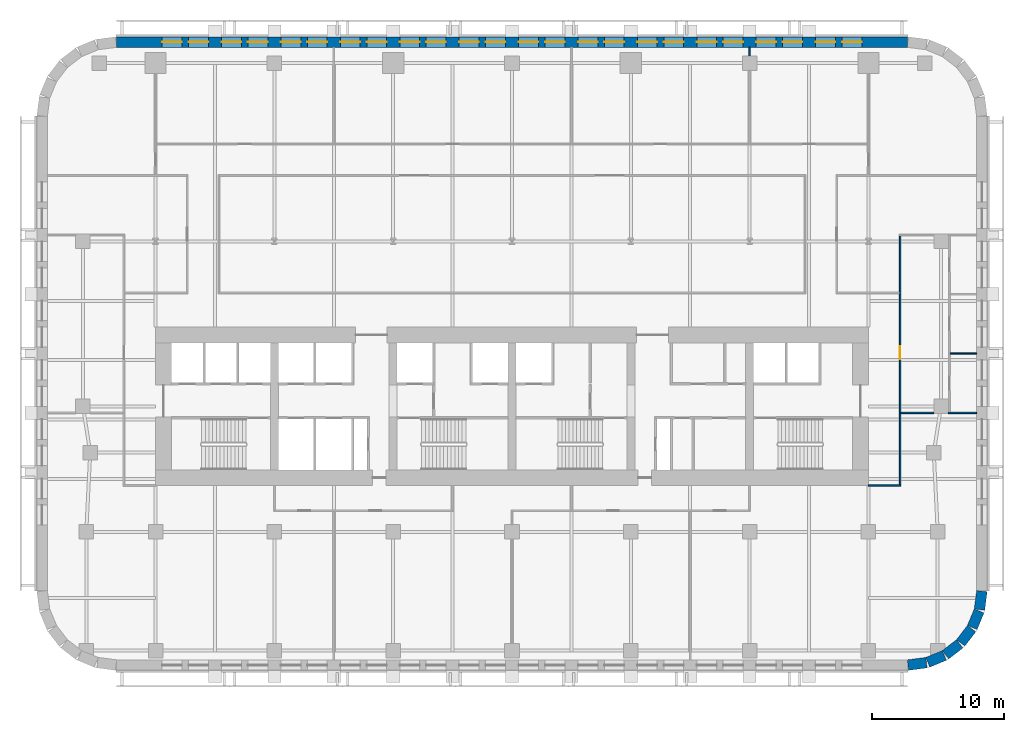
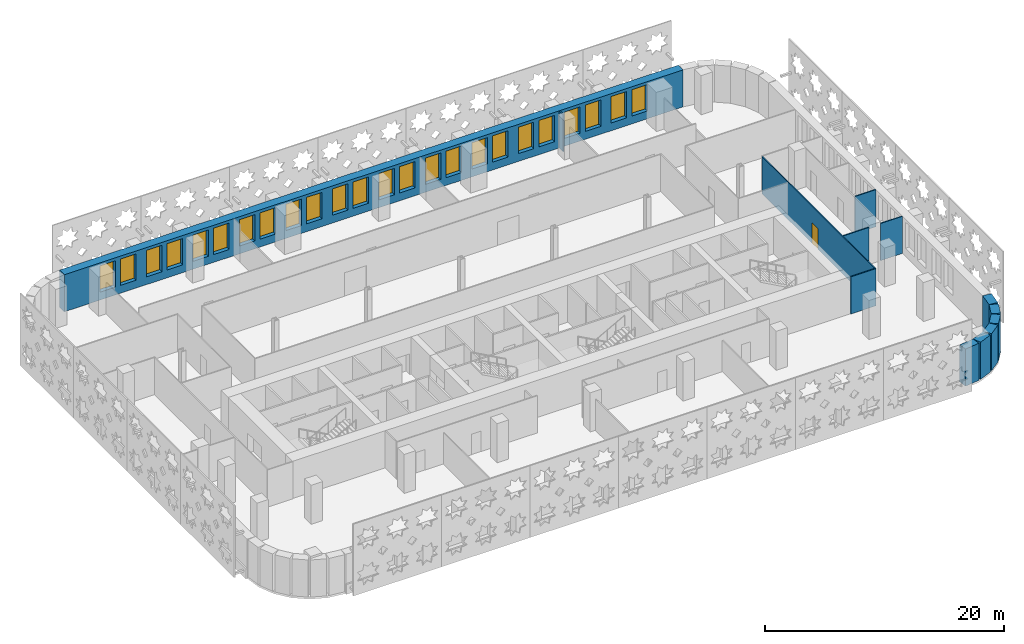
# One storey, part 8 of 15: 24 windows, 13 walls, 1 door, 25 openings.
"""IFC4 building model written with IfcOpenShell, lengths in metres."""

from ifc_helpers import new_model, si_unit, direction, frame, frame_2d, origin, place, context, subcontext, project, spatial, rectangle, extrude, material, layer, layer_set, type_object, element, fill, save


model = new_model("IFC4")

# Units and contexts
model_context = context("Model", 3, precision=1e-05, world=origin(), true_north=direction((0.0, 1.0)))
body_context = subcontext(model_context, "Body", "Model", "MODEL_VIEW")
ifc_project = project(units=[si_unit("LENGTHUNIT", "METRE"), si_unit("AREAUNIT", "SQUARE_METRE"), si_unit("VOLUMEUNIT", "CUBIC_METRE"), si_unit("PLANEANGLEUNIT", "RADIAN"), si_unit("MASSUNIT", "GRAM", prefix="KILO")], contexts=[model_context])

# Site, building, storey
site_placement = place(None, origin())
site = spatial("IfcSite", under=ifc_project, at=site_placement, CompositionType="ELEMENT")
building_placement = place(site_placement, origin())
building = spatial("IfcBuilding", under=site, at=building_placement, Name="Zellij Exchange Tower", CompositionType="ELEMENT")
storey_placement = place(building_placement, frame((0.0, 0.0, 92.5)))
storey = spatial("IfcBuildingStorey", under=building, at=storey_placement, Name="L19", CompositionType="ELEMENT", Elevation=92.5)

# Walls
ifc_material_1 = material(Name="Precast concrete C40/50", Category="concrete")
ifc_layer_1 = layer(ifc_material_1, 0.800048828125)
ifc_layer_set_1 = layer_set([ifc_layer_1], Name="Precast concrete C40/50")
wall_type_1 = type_object("IfcWallType", Name="ENV-EW1 Precast stone-piered wall 800", PredefinedType="SOLIDWALL", material=ifc_layer_set_1)
wall_1_placement = place(storey_placement, frame((29.999755859375, -27.5966796875, 0.0), z_axis=(0.0, 0.0, 1.0), x_axis=(0.99144603414, 0.130517283865, 0.0)))
element("IfcWall", 1, at=wall_1_placement, inside=storey, type_object=wall_type_1, Name="fac.L19.01", PredefinedType="SOLIDWALL", context=body_context, shape_type="SweptSolid", body=[
    extrude(rectangle(XDim=1.408447265625, YDim=0.800048828125, at=frame_2d((0.7041015625, 0.0))), origin(), (0.0, 0.0, 1.0), 3.800048828125),
])
wall_2_placement = place(storey_placement, frame((31.497314453125, -27.3857421875, 0.0), z_axis=(0.0, 0.0, 1.0), x_axis=(0.923847774587, 0.38276009378, 0.0)))
element("IfcWall", 2, at=wall_2_placement, inside=storey, type_object=wall_type_1, Name="fac.L19.02", PredefinedType="SOLIDWALL", context=body_context, shape_type="SweptSolid", body=[
    extrude(rectangle(XDim=1.35546875, YDim=0.800048828125, at=frame_2d((0.677734375, 0.0))), origin(), (0.0, 0.0, 1.0), 3.800048828125),
])
for number, where, z_axis, x_axis, name in (
    (3, (32.840087890625, -26.814697265625, 0.0), (0.0, 0.0, 1.0), (0.793272915452, 0.608866226366, 0.0), "fac.L19.03"),
    (4, (33.9892578125, -25.91552734375, 0.0), (0.0, 0.0, 1.0), (0.608866226366, 0.793272915452, 0.0), "fac.L19.04"),
):
    element("IfcWall", number, at=place(storey_placement, frame(where, z_axis=z_axis, x_axis=x_axis)), inside=storey, type_object=wall_type_1, Name=name, PredefinedType="SOLIDWALL", context=body_context, shape_type="SweptSolid", body=[
        extrude(rectangle(XDim=1.355712890625, YDim=0.800048828125, at=frame_2d((0.677734375, 0.0))), origin(), (0.0, 0.0, 1.0), 3.800048828125),
    ])
wall_3_placement = place(storey_placement, frame((34.866943359375, -24.74951171875, 0.0), z_axis=(0.0, 0.0, 1.0), x_axis=(0.38276009378, 0.923847774587, 0.0)))
element("IfcWall", 5, at=wall_3_placement, inside=storey, type_object=wall_type_1, Name="fac.L19.05", PredefinedType="SOLIDWALL", context=body_context, shape_type="SweptSolid", body=[
    extrude(rectangle(XDim=1.35546875, YDim=0.800048828125, at=frame_2d((0.677734375, 0.0))), origin(), (0.0, 0.0, 1.0), 3.800048828125),
])
wall_4_placement = place(storey_placement, frame((35.412841796875, -23.396240234375, 0.0), z_axis=(0.0, 0.0, 1.0), x_axis=(0.130517283865, 0.99144603414, 0.0)))
element("IfcWall", 6, at=wall_4_placement, inside=storey, type_object=wall_type_1, Name="fac.L19.06", PredefinedType="SOLIDWALL", context=body_context, shape_type="SweptSolid", body=[
    extrude(rectangle(XDim=1.408447265625, YDim=0.800048828125, at=frame_2d((0.7041015625, 0.0))), origin(), (0.0, 0.0, 1.0), 3.800048828125),
])

# Wall, openings, windows
wall_5_placement = place(storey_placement, frame((29.947509765625, 19.60009765625, 0.0), z_axis=(0.0, 0.0, 1.0), x_axis=(-1.0, 0.0, 0.0)))
wall_5 = element("IfcWall", 7, at=wall_5_placement, inside=storey, type_object=wall_type_1, Name="fac.L19.14", PredefinedType="SOLIDWALL", context=body_context, shape_type="SweptSolid", body=[
    extrude(rectangle(XDim=59.89501953125, YDim=0.800048828125, at=frame_2d((29.947509765625, 0.0))), origin(), (0.0, 0.0, 1.0), 3.800048828125),
])
opening_1_placement = place(wall_5_placement, frame((3.447509765625, 0.0, 0.800048828125)))
opening_1 = element("IfcOpeningElement", 8, at=opening_1_placement, cuts=wall_5, Name="Opening FZ1.37", PredefinedType="OPENING", context=body_context, shape_type="SweptSolid", body=[
    extrude(rectangle(XDim=1.5, YDim=2.699951171875, at=frame_2d((0.75, 1.35009765625))), frame((0.0, 0.412109375, 0.0), z_axis=(0.0, -1.0, 0.0), x_axis=(1.0, 0.0, 0.0)), (0.0, 0.0, 1.0), 0.823974609375),
])
opening_2_placement = place(wall_5_placement, frame((5.447509765625, 0.0, 0.800048828125)))
opening_2 = element("IfcOpeningElement", 9, at=opening_2_placement, cuts=wall_5, Name="Opening FZ1.38", PredefinedType="OPENING", context=body_context, shape_type="SweptSolid", body=[
    extrude(rectangle(XDim=1.5, YDim=2.699951171875, at=frame_2d((0.75, 1.35009765625))), frame((0.0, 0.412109375, 0.0), z_axis=(0.0, -1.0, 0.0), x_axis=(1.0, 0.0, 0.0)), (0.0, 0.0, 1.0), 0.823974609375),
])
opening_3_placement = place(wall_5_placement, frame((7.947509765625, 0.0, 0.800048828125)))
opening_3 = element("IfcOpeningElement", 10, at=opening_3_placement, cuts=wall_5, Name="Opening FZ1.39", PredefinedType="OPENING", context=body_context, shape_type="SweptSolid", body=[
    extrude(rectangle(XDim=1.5, YDim=2.699951171875, at=frame_2d((0.75, 1.35009765625))), frame((0.0, 0.412109375, 0.0), z_axis=(0.0, -1.0, 0.0), x_axis=(1.0, 0.0, 0.0)), (0.0, 0.0, 1.0), 0.823974609375),
])
opening_4_placement = place(wall_5_placement, frame((9.947509765625, 0.0, 0.800048828125)))
opening_4 = element("IfcOpeningElement", 11, at=opening_4_placement, cuts=wall_5, Name="Opening FZ1.40", PredefinedType="OPENING", context=body_context, shape_type="SweptSolid", body=[
    extrude(rectangle(XDim=1.5, YDim=2.699951171875, at=frame_2d((0.75, 1.35009765625))), frame((0.0, 0.412109375, 0.0), z_axis=(0.0, -1.0, 0.0), x_axis=(1.0, 0.0, 0.0)), (0.0, 0.0, 1.0), 0.823974609375),
])
opening_5_placement = place(wall_5_placement, frame((12.447509765625, 0.0, 0.800048828125)))
opening_5 = element("IfcOpeningElement", 12, at=opening_5_placement, cuts=wall_5, Name="Opening FZ1.41", PredefinedType="OPENING", context=body_context, shape_type="SweptSolid", body=[
    extrude(rectangle(XDim=1.5, YDim=2.699951171875, at=frame_2d((0.75, 1.35009765625))), frame((0.0, 0.412109375, 0.0), z_axis=(0.0, -1.0, 0.0), x_axis=(1.0, 0.0, 0.0)), (0.0, 0.0, 1.0), 0.823974609375),
])
opening_6_placement = place(wall_5_placement, frame((14.447509765625, 0.0, 0.800048828125)))
opening_6 = element("IfcOpeningElement", 13, at=opening_6_placement, cuts=wall_5, Name="Opening FZ1.42", PredefinedType="OPENING", context=body_context, shape_type="SweptSolid", body=[
    extrude(rectangle(XDim=1.5, YDim=2.699951171875, at=frame_2d((0.75, 1.35009765625))), frame((0.0, 0.412109375, 0.0), z_axis=(0.0, -1.0, 0.0), x_axis=(1.0, 0.0, 0.0)), (0.0, 0.0, 1.0), 0.823974609375),
])
opening_7_placement = place(wall_5_placement, frame((16.947509765625, 0.0, 0.800048828125)))
opening_7 = element("IfcOpeningElement", 14, at=opening_7_placement, cuts=wall_5, Name="Opening FZ1.43", PredefinedType="OPENING", context=body_context, shape_type="SweptSolid", body=[
    extrude(rectangle(XDim=1.5, YDim=2.699951171875, at=frame_2d((0.75, 1.35009765625))), frame((0.0, 0.412109375, 0.0), z_axis=(0.0, -1.0, 0.0), x_axis=(1.0, 0.0, 0.0)), (0.0, 0.0, 1.0), 0.823974609375),
])
opening_8_placement = place(wall_5_placement, frame((18.947509765625, 0.0, 0.800048828125)))
opening_8 = element("IfcOpeningElement", 15, at=opening_8_placement, cuts=wall_5, Name="Opening FZ1.44", PredefinedType="OPENING", context=body_context, shape_type="SweptSolid", body=[
    extrude(rectangle(XDim=1.5, YDim=2.699951171875, at=frame_2d((0.75, 1.35009765625))), frame((0.0, 0.412109375, 0.0), z_axis=(0.0, -1.0, 0.0), x_axis=(1.0, 0.0, 0.0)), (0.0, 0.0, 1.0), 0.823974609375),
])
opening_9_placement = place(wall_5_placement, frame((21.447509765625, 0.0, 0.800048828125)))
opening_9 = element("IfcOpeningElement", 16, at=opening_9_placement, cuts=wall_5, Name="Opening FZ1.45", PredefinedType="OPENING", context=body_context, shape_type="SweptSolid", body=[
    extrude(rectangle(XDim=1.5, YDim=2.699951171875, at=frame_2d((0.75, 1.35009765625))), frame((0.0, 0.412109375, 0.0), z_axis=(0.0, -1.0, 0.0), x_axis=(1.0, 0.0, 0.0)), (0.0, 0.0, 1.0), 0.823974609375),
])
opening_10_placement = place(wall_5_placement, frame((23.447509765625, 0.0, 0.800048828125)))
opening_10 = element("IfcOpeningElement", 17, at=opening_10_placement, cuts=wall_5, Name="Opening FZ1.46", PredefinedType="OPENING", context=body_context, shape_type="SweptSolid", body=[
    extrude(rectangle(XDim=1.5, YDim=2.699951171875, at=frame_2d((0.75, 1.35009765625))), frame((0.0, 0.412109375, 0.0), z_axis=(0.0, -1.0, 0.0), x_axis=(1.0, 0.0, 0.0)), (0.0, 0.0, 1.0), 0.823974609375),
])
opening_11_placement = place(wall_5_placement, frame((25.947509765625, 0.0, 0.800048828125)))
opening_11 = element("IfcOpeningElement", 18, at=opening_11_placement, cuts=wall_5, Name="Opening FZ1.47", PredefinedType="OPENING", context=body_context, shape_type="SweptSolid", body=[
    extrude(rectangle(XDim=1.5, YDim=2.699951171875, at=frame_2d((0.75, 1.35009765625))), frame((0.0, 0.412109375, 0.0), z_axis=(0.0, -1.0, 0.0), x_axis=(1.0, 0.0, 0.0)), (0.0, 0.0, 1.0), 0.823974609375),
])
opening_12_placement = place(wall_5_placement, frame((27.947509765625, 0.0, 0.800048828125)))
opening_12 = element("IfcOpeningElement", 19, at=opening_12_placement, cuts=wall_5, Name="Opening FZ1.48", PredefinedType="OPENING", context=body_context, shape_type="SweptSolid", body=[
    extrude(rectangle(XDim=1.5, YDim=2.699951171875, at=frame_2d((0.75, 1.35009765625))), frame((0.0, 0.412109375, 0.0), z_axis=(0.0, -1.0, 0.0), x_axis=(1.0, 0.0, 0.0)), (0.0, 0.0, 1.0), 0.823974609375),
])
opening_13_placement = place(wall_5_placement, frame((30.447509765625, 0.0, 0.800048828125)))
opening_13 = element("IfcOpeningElement", 20, at=opening_13_placement, cuts=wall_5, Name="Opening FZ1.49", PredefinedType="OPENING", context=body_context, shape_type="SweptSolid", body=[
    extrude(rectangle(XDim=1.5, YDim=2.699951171875, at=frame_2d((0.75, 1.35009765625))), frame((0.0, 0.412109375, 0.0), z_axis=(0.0, -1.0, 0.0), x_axis=(1.0, 0.0, 0.0)), (0.0, 0.0, 1.0), 0.823974609375),
])
opening_14_placement = place(wall_5_placement, frame((32.447509765625, 0.0, 0.800048828125)))
opening_14 = element("IfcOpeningElement", 21, at=opening_14_placement, cuts=wall_5, Name="Opening FZ1.50", PredefinedType="OPENING", context=body_context, shape_type="SweptSolid", body=[
    extrude(rectangle(XDim=1.5, YDim=2.699951171875, at=frame_2d((0.75, 1.35009765625))), frame((0.0, 0.412109375, 0.0), z_axis=(0.0, -1.0, 0.0), x_axis=(1.0, 0.0, 0.0)), (0.0, 0.0, 1.0), 0.823974609375),
])
opening_15_placement = place(wall_5_placement, frame((34.947509765625, 0.0, 0.800048828125)))
opening_15 = element("IfcOpeningElement", 22, at=opening_15_placement, cuts=wall_5, Name="Opening FZ1.51", PredefinedType="OPENING", context=body_context, shape_type="SweptSolid", body=[
    extrude(rectangle(XDim=1.5, YDim=2.699951171875, at=frame_2d((0.75, 1.35009765625))), frame((0.0, 0.412109375, 0.0), z_axis=(0.0, -1.0, 0.0), x_axis=(1.0, 0.0, 0.0)), (0.0, 0.0, 1.0), 0.823974609375),
])
opening_16_placement = place(wall_5_placement, frame((36.947509765625, 0.0, 0.800048828125)))
opening_16 = element("IfcOpeningElement", 23, at=opening_16_placement, cuts=wall_5, Name="Opening FZ1.52", PredefinedType="OPENING", context=body_context, shape_type="SweptSolid", body=[
    extrude(rectangle(XDim=1.5, YDim=2.699951171875, at=frame_2d((0.75, 1.35009765625))), frame((0.0, 0.412109375, 0.0), z_axis=(0.0, -1.0, 0.0), x_axis=(1.0, 0.0, 0.0)), (0.0, 0.0, 1.0), 0.823974609375),
])
opening_17_placement = place(wall_5_placement, frame((39.447509765625, 0.0, 0.800048828125)))
opening_17 = element("IfcOpeningElement", 24, at=opening_17_placement, cuts=wall_5, Name="Opening FZ1.53", PredefinedType="OPENING", context=body_context, shape_type="SweptSolid", body=[
    extrude(rectangle(XDim=1.5, YDim=2.699951171875, at=frame_2d((0.75, 1.35009765625))), frame((0.0, 0.412109375, 0.0), z_axis=(0.0, -1.0, 0.0), x_axis=(1.0, 0.0, 0.0)), (0.0, 0.0, 1.0), 0.823974609375),
])
opening_18_placement = place(wall_5_placement, frame((41.447509765625, 0.0, 0.800048828125)))
opening_18 = element("IfcOpeningElement", 25, at=opening_18_placement, cuts=wall_5, Name="Opening FZ1.54", PredefinedType="OPENING", context=body_context, shape_type="SweptSolid", body=[
    extrude(rectangle(XDim=1.5, YDim=2.699951171875, at=frame_2d((0.75, 1.35009765625))), frame((0.0, 0.412109375, 0.0), z_axis=(0.0, -1.0, 0.0), x_axis=(1.0, 0.0, 0.0)), (0.0, 0.0, 1.0), 0.823974609375),
])
opening_19_placement = place(wall_5_placement, frame((43.947509765625, 0.0, 0.800048828125)))
opening_19 = element("IfcOpeningElement", 26, at=opening_19_placement, cuts=wall_5, Name="Opening FZ1.55", PredefinedType="OPENING", context=body_context, shape_type="SweptSolid", body=[
    extrude(rectangle(XDim=1.5, YDim=2.699951171875, at=frame_2d((0.75, 1.35009765625))), frame((0.0, 0.412109375, 0.0), z_axis=(0.0, -1.0, 0.0), x_axis=(1.0, 0.0, 0.0)), (0.0, 0.0, 1.0), 0.823974609375),
])
opening_20_placement = place(wall_5_placement, frame((45.947509765625, 0.0, 0.800048828125)))
opening_20 = element("IfcOpeningElement", 27, at=opening_20_placement, cuts=wall_5, Name="Opening FZ1.56", PredefinedType="OPENING", context=body_context, shape_type="SweptSolid", body=[
    extrude(rectangle(XDim=1.5, YDim=2.699951171875, at=frame_2d((0.75, 1.35009765625))), frame((0.0, 0.412109375, 0.0), z_axis=(0.0, -1.0, 0.0), x_axis=(1.0, 0.0, 0.0)), (0.0, 0.0, 1.0), 0.823974609375),
])
opening_21_placement = place(wall_5_placement, frame((48.447509765625, 0.0, 0.800048828125)))
opening_21 = element("IfcOpeningElement", 28, at=opening_21_placement, cuts=wall_5, Name="Opening FZ1.57", PredefinedType="OPENING", context=body_context, shape_type="SweptSolid", body=[
    extrude(rectangle(XDim=1.5, YDim=2.699951171875, at=frame_2d((0.75, 1.35009765625))), frame((0.0, 0.412109375, 0.0), z_axis=(0.0, -1.0, 0.0), x_axis=(1.0, 0.0, 0.0)), (0.0, 0.0, 1.0), 0.823974609375),
])
opening_22_placement = place(wall_5_placement, frame((50.447509765625, 0.0, 0.800048828125)))
opening_22 = element("IfcOpeningElement", 29, at=opening_22_placement, cuts=wall_5, Name="Opening FZ1.58", PredefinedType="OPENING", context=body_context, shape_type="SweptSolid", body=[
    extrude(rectangle(XDim=1.5, YDim=2.699951171875, at=frame_2d((0.75, 1.35009765625))), frame((0.0, 0.412109375, 0.0), z_axis=(0.0, -1.0, 0.0), x_axis=(1.0, 0.0, 0.0)), (0.0, 0.0, 1.0), 0.823974609375),
])
opening_23_placement = place(wall_5_placement, frame((52.947509765625, 0.0, 0.800048828125)))
opening_23 = element("IfcOpeningElement", 30, at=opening_23_placement, cuts=wall_5, Name="Opening FZ1.59", PredefinedType="OPENING", context=body_context, shape_type="SweptSolid", body=[
    extrude(rectangle(XDim=1.5, YDim=2.699951171875, at=frame_2d((0.75, 1.35009765625))), frame((0.0, 0.412109375, 0.0), z_axis=(0.0, -1.0, 0.0), x_axis=(1.0, 0.0, 0.0)), (0.0, 0.0, 1.0), 0.823974609375),
])
opening_24_placement = place(wall_5_placement, frame((54.947509765625, 0.0, 0.800048828125)))
opening_24 = element("IfcOpeningElement", 31, at=opening_24_placement, cuts=wall_5, Name="Opening FZ1.60", PredefinedType="OPENING", context=body_context, shape_type="SweptSolid", body=[
    extrude(rectangle(XDim=1.5, YDim=2.699951171875, at=frame_2d((0.75, 1.35009765625))), frame((0.0, 0.412109375, 0.0), z_axis=(0.0, -1.0, 0.0), x_axis=(1.0, 0.0, 0.0)), (0.0, 0.0, 1.0), 0.823974609375),
])
ifc_material_2 = material(Name="Aluminium frame with insulating glass", Category="aluminium")
window_type = type_object("IfcWindowType", Name="ENV-W6 Window 1500x2700", PartitioningType="SINGLE_PANEL", PredefinedType="WINDOW", material=ifc_material_2)
window_1_placement = place(opening_1_placement, origin())
window_1 = element("IfcWindow", 32, at=window_1_placement, inside=storey, type_object=window_type, Name="Window FZ1.37", OverallHeight=2.699951171875, OverallWidth=1.5, PartitioningType="SINGLE_PANEL", PredefinedType="WINDOW", context=body_context, shape_type="SweptSolid", body=[
    extrude(rectangle(XDim=1.5, YDim=2.699951171875, at=frame_2d((0.75, 1.35009765625))), frame((0.0, 0.030029296875, 0.0), z_axis=(0.0, -1.0, 0.0), x_axis=(1.0, 0.0, 0.0)), (0.0, 0.0, 1.0), 0.06005859375),
])
fill(opening_1, window_1)
window_2_placement = place(opening_2_placement, origin())
window_2 = element("IfcWindow", 33, at=window_2_placement, inside=storey, type_object=window_type, Name="Window FZ1.38", OverallHeight=2.699951171875, OverallWidth=1.5, PartitioningType="SINGLE_PANEL", PredefinedType="WINDOW", context=body_context, shape_type="SweptSolid", body=[
    extrude(rectangle(XDim=1.5, YDim=2.699951171875, at=frame_2d((0.75, 1.35009765625))), frame((0.0, 0.030029296875, 0.0), z_axis=(0.0, -1.0, 0.0), x_axis=(1.0, 0.0, 0.0)), (0.0, 0.0, 1.0), 0.06005859375),
])
fill(opening_2, window_2)
window_3_placement = place(opening_3_placement, origin())
window_3 = element("IfcWindow", 34, at=window_3_placement, inside=storey, type_object=window_type, Name="Window FZ1.39", OverallHeight=2.699951171875, OverallWidth=1.5, PartitioningType="SINGLE_PANEL", PredefinedType="WINDOW", context=body_context, shape_type="SweptSolid", body=[
    extrude(rectangle(XDim=1.5, YDim=2.699951171875, at=frame_2d((0.75, 1.35009765625))), frame((0.0, 0.030029296875, 0.0), z_axis=(0.0, -1.0, 0.0), x_axis=(1.0, 0.0, 0.0)), (0.0, 0.0, 1.0), 0.06005859375),
])
fill(opening_3, window_3)
window_4_placement = place(opening_4_placement, origin())
window_4 = element("IfcWindow", 35, at=window_4_placement, inside=storey, type_object=window_type, Name="Window FZ1.40", OverallHeight=2.699951171875, OverallWidth=1.5, PartitioningType="SINGLE_PANEL", PredefinedType="WINDOW", context=body_context, shape_type="SweptSolid", body=[
    extrude(rectangle(XDim=1.5, YDim=2.699951171875, at=frame_2d((0.75, 1.35009765625))), frame((0.0, 0.030029296875, 0.0), z_axis=(0.0, -1.0, 0.0), x_axis=(1.0, 0.0, 0.0)), (0.0, 0.0, 1.0), 0.06005859375),
])
fill(opening_4, window_4)
window_5_placement = place(opening_5_placement, origin())
window_5 = element("IfcWindow", 36, at=window_5_placement, inside=storey, type_object=window_type, Name="Window FZ1.41", OverallHeight=2.699951171875, OverallWidth=1.5, PartitioningType="SINGLE_PANEL", PredefinedType="WINDOW", context=body_context, shape_type="SweptSolid", body=[
    extrude(rectangle(XDim=1.5, YDim=2.699951171875, at=frame_2d((0.75, 1.35009765625))), frame((0.0, 0.030029296875, 0.0), z_axis=(0.0, -1.0, 0.0), x_axis=(1.0, 0.0, 0.0)), (0.0, 0.0, 1.0), 0.06005859375),
])
fill(opening_5, window_5)
window_6_placement = place(opening_6_placement, origin())
window_6 = element("IfcWindow", 37, at=window_6_placement, inside=storey, type_object=window_type, Name="Window FZ1.42", OverallHeight=2.699951171875, OverallWidth=1.5, PartitioningType="SINGLE_PANEL", PredefinedType="WINDOW", context=body_context, shape_type="SweptSolid", body=[
    extrude(rectangle(XDim=1.5, YDim=2.699951171875, at=frame_2d((0.75, 1.35009765625))), frame((0.0, 0.030029296875, 0.0), z_axis=(0.0, -1.0, 0.0), x_axis=(1.0, 0.0, 0.0)), (0.0, 0.0, 1.0), 0.06005859375),
])
fill(opening_6, window_6)
window_7_placement = place(opening_7_placement, origin())
window_7 = element("IfcWindow", 38, at=window_7_placement, inside=storey, type_object=window_type, Name="Window FZ1.43", OverallHeight=2.699951171875, OverallWidth=1.5, PartitioningType="SINGLE_PANEL", PredefinedType="WINDOW", context=body_context, shape_type="SweptSolid", body=[
    extrude(rectangle(XDim=1.5, YDim=2.699951171875, at=frame_2d((0.75, 1.35009765625))), frame((0.0, 0.030029296875, 0.0), z_axis=(0.0, -1.0, 0.0), x_axis=(1.0, 0.0, 0.0)), (0.0, 0.0, 1.0), 0.06005859375),
])
fill(opening_7, window_7)
window_8_placement = place(opening_8_placement, origin())
window_8 = element("IfcWindow", 39, at=window_8_placement, inside=storey, type_object=window_type, Name="Window FZ1.44", OverallHeight=2.699951171875, OverallWidth=1.5, PartitioningType="SINGLE_PANEL", PredefinedType="WINDOW", context=body_context, shape_type="SweptSolid", body=[
    extrude(rectangle(XDim=1.5, YDim=2.699951171875, at=frame_2d((0.75, 1.35009765625))), frame((0.0, 0.030029296875, 0.0), z_axis=(0.0, -1.0, 0.0), x_axis=(1.0, 0.0, 0.0)), (0.0, 0.0, 1.0), 0.06005859375),
])
fill(opening_8, window_8)
window_9_placement = place(opening_9_placement, origin())
window_9 = element("IfcWindow", 40, at=window_9_placement, inside=storey, type_object=window_type, Name="Window FZ1.45", OverallHeight=2.699951171875, OverallWidth=1.5, PartitioningType="SINGLE_PANEL", PredefinedType="WINDOW", context=body_context, shape_type="SweptSolid", body=[
    extrude(rectangle(XDim=1.5, YDim=2.699951171875, at=frame_2d((0.75, 1.35009765625))), frame((0.0, 0.030029296875, 0.0), z_axis=(0.0, -1.0, 0.0), x_axis=(1.0, 0.0, 0.0)), (0.0, 0.0, 1.0), 0.06005859375),
])
fill(opening_9, window_9)
window_10_placement = place(opening_10_placement, origin())
window_10 = element("IfcWindow", 41, at=window_10_placement, inside=storey, type_object=window_type, Name="Window FZ1.46", OverallHeight=2.699951171875, OverallWidth=1.5, PartitioningType="SINGLE_PANEL", PredefinedType="WINDOW", context=body_context, shape_type="SweptSolid", body=[
    extrude(rectangle(XDim=1.5, YDim=2.699951171875, at=frame_2d((0.75, 1.35009765625))), frame((0.0, 0.030029296875, 0.0), z_axis=(0.0, -1.0, 0.0), x_axis=(1.0, 0.0, 0.0)), (0.0, 0.0, 1.0), 0.06005859375),
])
fill(opening_10, window_10)
window_11_placement = place(opening_11_placement, origin())
window_11 = element("IfcWindow", 42, at=window_11_placement, inside=storey, type_object=window_type, Name="Window FZ1.47", OverallHeight=2.699951171875, OverallWidth=1.5, PartitioningType="SINGLE_PANEL", PredefinedType="WINDOW", context=body_context, shape_type="SweptSolid", body=[
    extrude(rectangle(XDim=1.5, YDim=2.699951171875, at=frame_2d((0.75, 1.35009765625))), frame((0.0, 0.030029296875, 0.0), z_axis=(0.0, -1.0, 0.0), x_axis=(1.0, 0.0, 0.0)), (0.0, 0.0, 1.0), 0.06005859375),
])
fill(opening_11, window_11)
window_12_placement = place(opening_12_placement, origin())
window_12 = element("IfcWindow", 43, at=window_12_placement, inside=storey, type_object=window_type, Name="Window FZ1.48", OverallHeight=2.699951171875, OverallWidth=1.5, PartitioningType="SINGLE_PANEL", PredefinedType="WINDOW", context=body_context, shape_type="SweptSolid", body=[
    extrude(rectangle(XDim=1.5, YDim=2.699951171875, at=frame_2d((0.75, 1.35009765625))), frame((0.0, 0.030029296875, 0.0), z_axis=(0.0, -1.0, 0.0), x_axis=(1.0, 0.0, 0.0)), (0.0, 0.0, 1.0), 0.06005859375),
])
fill(opening_12, window_12)
window_13_placement = place(opening_13_placement, origin())
window_13 = element("IfcWindow", 44, at=window_13_placement, inside=storey, type_object=window_type, Name="Window FZ1.49", OverallHeight=2.699951171875, OverallWidth=1.5, PartitioningType="SINGLE_PANEL", PredefinedType="WINDOW", context=body_context, shape_type="SweptSolid", body=[
    extrude(rectangle(XDim=1.5, YDim=2.699951171875, at=frame_2d((0.75, 1.35009765625))), frame((0.0, 0.030029296875, 0.0), z_axis=(0.0, -1.0, 0.0), x_axis=(1.0, 0.0, 0.0)), (0.0, 0.0, 1.0), 0.06005859375),
])
fill(opening_13, window_13)
window_14_placement = place(opening_14_placement, origin())
window_14 = element("IfcWindow", 45, at=window_14_placement, inside=storey, type_object=window_type, Name="Window FZ1.50", OverallHeight=2.699951171875, OverallWidth=1.5, PartitioningType="SINGLE_PANEL", PredefinedType="WINDOW", context=body_context, shape_type="SweptSolid", body=[
    extrude(rectangle(XDim=1.5, YDim=2.699951171875, at=frame_2d((0.75, 1.35009765625))), frame((0.0, 0.030029296875, 0.0), z_axis=(0.0, -1.0, 0.0), x_axis=(1.0, 0.0, 0.0)), (0.0, 0.0, 1.0), 0.06005859375),
])
fill(opening_14, window_14)
window_15_placement = place(opening_15_placement, origin())
window_15 = element("IfcWindow", 46, at=window_15_placement, inside=storey, type_object=window_type, Name="Window FZ1.51", OverallHeight=2.699951171875, OverallWidth=1.5, PartitioningType="SINGLE_PANEL", PredefinedType="WINDOW", context=body_context, shape_type="SweptSolid", body=[
    extrude(rectangle(XDim=1.5, YDim=2.699951171875, at=frame_2d((0.75, 1.35009765625))), frame((0.0, 0.030029296875, 0.0), z_axis=(0.0, -1.0, 0.0), x_axis=(1.0, 0.0, 0.0)), (0.0, 0.0, 1.0), 0.06005859375),
])
fill(opening_15, window_15)
window_16_placement = place(opening_16_placement, origin())
window_16 = element("IfcWindow", 47, at=window_16_placement, inside=storey, type_object=window_type, Name="Window FZ1.52", OverallHeight=2.699951171875, OverallWidth=1.5, PartitioningType="SINGLE_PANEL", PredefinedType="WINDOW", context=body_context, shape_type="SweptSolid", body=[
    extrude(rectangle(XDim=1.5, YDim=2.699951171875, at=frame_2d((0.75, 1.35009765625))), frame((0.0, 0.030029296875, 0.0), z_axis=(0.0, -1.0, 0.0), x_axis=(1.0, 0.0, 0.0)), (0.0, 0.0, 1.0), 0.06005859375),
])
fill(opening_16, window_16)
window_17_placement = place(opening_17_placement, origin())
window_17 = element("IfcWindow", 48, at=window_17_placement, inside=storey, type_object=window_type, Name="Window FZ1.53", OverallHeight=2.699951171875, OverallWidth=1.5, PartitioningType="SINGLE_PANEL", PredefinedType="WINDOW", context=body_context, shape_type="SweptSolid", body=[
    extrude(rectangle(XDim=1.5, YDim=2.699951171875, at=frame_2d((0.75, 1.35009765625))), frame((0.0, 0.030029296875, 0.0), z_axis=(0.0, -1.0, 0.0), x_axis=(1.0, 0.0, 0.0)), (0.0, 0.0, 1.0), 0.06005859375),
])
fill(opening_17, window_17)
window_18_placement = place(opening_18_placement, origin())
window_18 = element("IfcWindow", 49, at=window_18_placement, inside=storey, type_object=window_type, Name="Window FZ1.54", OverallHeight=2.699951171875, OverallWidth=1.5, PartitioningType="SINGLE_PANEL", PredefinedType="WINDOW", context=body_context, shape_type="SweptSolid", body=[
    extrude(rectangle(XDim=1.5, YDim=2.699951171875, at=frame_2d((0.75, 1.35009765625))), frame((0.0, 0.030029296875, 0.0), z_axis=(0.0, -1.0, 0.0), x_axis=(1.0, 0.0, 0.0)), (0.0, 0.0, 1.0), 0.06005859375),
])
fill(opening_18, window_18)
window_19_placement = place(opening_19_placement, origin())
window_19 = element("IfcWindow", 50, at=window_19_placement, inside=storey, type_object=window_type, Name="Window FZ1.55", OverallHeight=2.699951171875, OverallWidth=1.5, PartitioningType="SINGLE_PANEL", PredefinedType="WINDOW", context=body_context, shape_type="SweptSolid", body=[
    extrude(rectangle(XDim=1.5, YDim=2.699951171875, at=frame_2d((0.75, 1.35009765625))), frame((0.0, 0.030029296875, 0.0), z_axis=(0.0, -1.0, 0.0), x_axis=(1.0, 0.0, 0.0)), (0.0, 0.0, 1.0), 0.06005859375),
])
fill(opening_19, window_19)
window_20_placement = place(opening_20_placement, origin())
window_20 = element("IfcWindow", 51, at=window_20_placement, inside=storey, type_object=window_type, Name="Window FZ1.56", OverallHeight=2.699951171875, OverallWidth=1.5, PartitioningType="SINGLE_PANEL", PredefinedType="WINDOW", context=body_context, shape_type="SweptSolid", body=[
    extrude(rectangle(XDim=1.5, YDim=2.699951171875, at=frame_2d((0.75, 1.35009765625))), frame((0.0, 0.030029296875, 0.0), z_axis=(0.0, -1.0, 0.0), x_axis=(1.0, 0.0, 0.0)), (0.0, 0.0, 1.0), 0.06005859375),
])
fill(opening_20, window_20)
window_21_placement = place(opening_21_placement, origin())
window_21 = element("IfcWindow", 52, at=window_21_placement, inside=storey, type_object=window_type, Name="Window FZ1.57", OverallHeight=2.699951171875, OverallWidth=1.5, PartitioningType="SINGLE_PANEL", PredefinedType="WINDOW", context=body_context, shape_type="SweptSolid", body=[
    extrude(rectangle(XDim=1.5, YDim=2.699951171875, at=frame_2d((0.75, 1.35009765625))), frame((0.0, 0.030029296875, 0.0), z_axis=(0.0, -1.0, 0.0), x_axis=(1.0, 0.0, 0.0)), (0.0, 0.0, 1.0), 0.06005859375),
])
fill(opening_21, window_21)
window_22_placement = place(opening_22_placement, origin())
window_22 = element("IfcWindow", 53, at=window_22_placement, inside=storey, type_object=window_type, Name="Window FZ1.58", OverallHeight=2.699951171875, OverallWidth=1.5, PartitioningType="SINGLE_PANEL", PredefinedType="WINDOW", context=body_context, shape_type="SweptSolid", body=[
    extrude(rectangle(XDim=1.5, YDim=2.699951171875, at=frame_2d((0.75, 1.35009765625))), frame((0.0, 0.030029296875, 0.0), z_axis=(0.0, -1.0, 0.0), x_axis=(1.0, 0.0, 0.0)), (0.0, 0.0, 1.0), 0.06005859375),
])
fill(opening_22, window_22)
window_23_placement = place(opening_23_placement, origin())
window_23 = element("IfcWindow", 54, at=window_23_placement, inside=storey, type_object=window_type, Name="Window FZ1.59", OverallHeight=2.699951171875, OverallWidth=1.5, PartitioningType="SINGLE_PANEL", PredefinedType="WINDOW", context=body_context, shape_type="SweptSolid", body=[
    extrude(rectangle(XDim=1.5, YDim=2.699951171875, at=frame_2d((0.75, 1.35009765625))), frame((0.0, 0.030029296875, 0.0), z_axis=(0.0, -1.0, 0.0), x_axis=(1.0, 0.0, 0.0)), (0.0, 0.0, 1.0), 0.06005859375),
])
fill(opening_23, window_23)
window_24_placement = place(opening_24_placement, origin())
window_24 = element("IfcWindow", 55, at=window_24_placement, inside=storey, type_object=window_type, Name="Window FZ1.60", OverallHeight=2.699951171875, OverallWidth=1.5, PartitioningType="SINGLE_PANEL", PredefinedType="WINDOW", context=body_context, shape_type="SweptSolid", body=[
    extrude(rectangle(XDim=1.5, YDim=2.699951171875, at=frame_2d((0.75, 1.35009765625))), frame((0.0, 0.030029296875, 0.0), z_axis=(0.0, -1.0, 0.0), x_axis=(1.0, 0.0, 0.0)), (0.0, 0.0, 1.0), 0.06005859375),
])
fill(opening_24, window_24)

# Wall
ifc_material_3 = material(Name="Gypsum board partition on steel studs", Category="steel")
ifc_layer_2 = layer(ifc_material_3, 0.10009765625)
ifc_layer_set_2 = layer_set([ifc_layer_2], Name="Gypsum board partition on steel studs")
wall_type_2 = type_object("IfcWallType", Name="FIT-PARTITION-100", PredefinedType="PARTITIONING", material=ifc_layer_set_2)
wall_6_placement = place(storey_placement, frame((27.0, -14.0, 0.0), z_axis=(0.0, 0.0, 1.0), x_axis=(1.0, 0.0, 0.0)))
element("IfcWall", 56, at=wall_6_placement, inside=storey, type_object=wall_type_2, Name="FIT-PARTITION-100 015", PredefinedType="PARTITIONING", context=body_context, shape_type="SweptSolid", body=[
    extrude(rectangle(XDim=2.449951171875, YDim=0.10009765625, at=frame_2d((1.22509765625, 0.0))), origin(), (0.0, 0.0, 1.0), 3.800048828125),
])

# Wall, opening, door
wall_7_placement = place(storey_placement, frame((29.39990234375, -13.949951171875, 0.0), z_axis=(0.0, 0.0, 1.0), x_axis=(0.0, 1.0, 0.0)))
wall_7 = element("IfcWall", 57, at=wall_7_placement, inside=storey, type_object=wall_type_2, Name="FIT-PARTITION-100 016", PredefinedType="PARTITIONING", context=body_context, shape_type="SweptSolid", body=[
    extrude(rectangle(XDim=18.889892578125, YDim=0.10009765625, at=frame_2d((9.44482421875, 0.0))), origin(), (0.0, 0.0, 1.0), 3.800048828125),
])
opening_25_placement = place(wall_7_placement, frame((9.510009765625, 0.0, 0.0)))
opening_25 = element("IfcOpeningElement", 58, at=opening_25_placement, cuts=wall_7, Name="Opening TD.07", PredefinedType="OPENING", context=body_context, shape_type="SweptSolid", body=[
    extrude(rectangle(XDim=1.0, YDim=2.10009765625, at=frame_2d((0.5, 1.050048828125))), frame((0.0, 0.06201171875, 0.0), z_axis=(0.0, -1.0, 0.0), x_axis=(1.0, 0.0, 0.0)), (0.0, 0.0, 1.0), 0.1240234375),
])
ifc_material_4 = material(Name="Timber door set", Category="wood")
door_type = type_object("IfcDoorType", Name="FIT-D2-WIDE-1000X2100", OperationType="SINGLE_SWING_LEFT", PredefinedType="DOOR", material=ifc_material_4)
door_placement = place(opening_25_placement, origin())
door = element("IfcDoor", 59, at=door_placement, inside=storey, type_object=door_type, Name="Door TD.07", OperationType="SINGLE_SWING_LEFT", OverallHeight=2.10009765625, OverallWidth=1.0, PredefinedType="DOOR", context=body_context, shape_type="SweptSolid", body=[
    extrude(rectangle(XDim=1.0, YDim=2.10009765625, at=frame_2d((0.5, 1.050048828125))), frame((0.0, 0.02490234375, 0.0), z_axis=(0.0, -1.0, 0.0), x_axis=(1.0, 0.0, 0.0)), (0.0, 0.0, 1.0), 0.050048828125),
])
fill(opening_25, door)

# Walls
wall_8_placement = place(storey_placement, frame((29.449951171875, -8.489990234375, 0.0), z_axis=(0.0, 0.0, 1.0), x_axis=(1.0, 0.0, 0.0)))
element("IfcWall", 60, at=wall_8_placement, inside=storey, type_object=wall_type_2, Name="FIT-PARTITION-100 019", PredefinedType="PARTITIONING", context=body_context, shape_type="SweptSolid", body=[
    extrude(rectangle(XDim=2.5, YDim=0.10009765625, at=frame_2d((1.25, 0.0))), origin(), (0.0, 0.0, 1.0), 3.800048828125),
])
wall_9_placement = place(storey_placement, frame((33.050048828125, -8.489990234375, 0.0), z_axis=(0.0, 0.0, 1.0), x_axis=(1.0, 0.0, 0.0)))
element("IfcWall", 61, at=wall_9_placement, inside=storey, type_object=wall_type_2, Name="FIT-PARTITION-100 020", PredefinedType="PARTITIONING", context=body_context, shape_type="SweptSolid", body=[
    extrude(rectangle(XDim=2.14990234375, YDim=0.10009765625, at=frame_2d((1.074951171875, 0.0))), origin(), (0.0, 0.0, 1.0), 3.800048828125),
])
wall_10_placement = place(storey_placement, frame((33.199951171875, -4.0, 0.0), z_axis=(0.0, 0.0, 1.0), x_axis=(1.0, 0.0, 0.0)))
element("IfcWall", 62, at=wall_10_placement, inside=storey, type_object=wall_type_2, Name="FIT-PARTITION-100 022", PredefinedType="PARTITIONING", context=body_context, shape_type="SweptSolid", body=[
    extrude(rectangle(XDim=2.0, YDim=0.10009765625, at=frame_2d((1.0, 0.0))), origin(), (0.0, 0.0, 1.0), 3.800048828125),
])
wall_11_placement = place(storey_placement, frame((18.0, 18.550048828125, 0.0), z_axis=(0.0, 0.0, 1.0), x_axis=(0.0, 1.0, 0.0)))
element("IfcWall", 63, at=wall_11_placement, inside=storey, type_object=wall_type_2, Name="FIT-PARTITION-100 046", PredefinedType="PARTITIONING", context=body_context, shape_type="SweptSolid", body=[
    extrude(rectangle(XDim=0.64990234375, YDim=0.10009765625, at=frame_2d((0.324951171875, 0.0))), origin(), (0.0, 0.0, 1.0), 3.800048828125),
])

save(model, "model.ifc")
